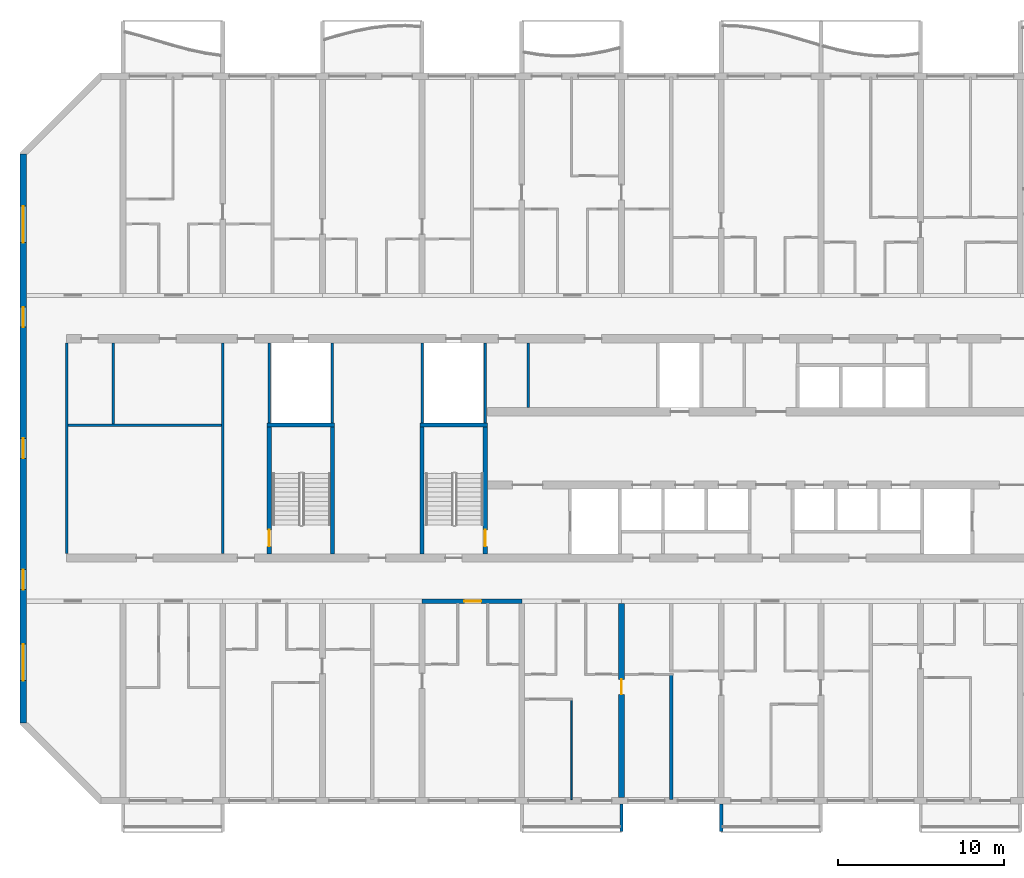
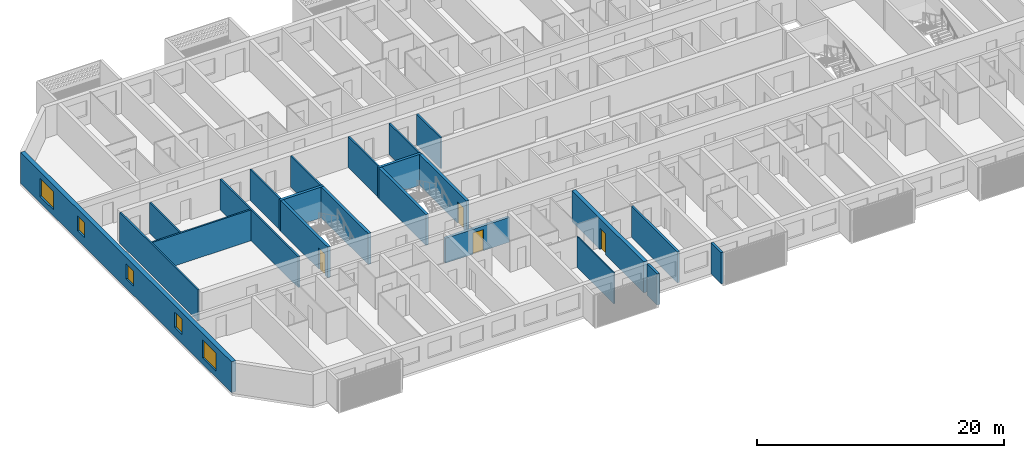
# One storey, part 3 of 30: 22 walls, 5 windows, 4 doors, 9 openings.
"""IFC4 building model written with IfcOpenShell, lengths in metres."""

from ifc_helpers import new_model, si_unit, direction, frame, frame_2d, origin, place, context, subcontext, project, spatial, polyline, rectangle, outline, extrude, source, transform, mapped, material, layer, layer_set, type_object, element, fill, save


model = new_model("IFC4")

# Units and contexts
model_context = context("Model", 3, precision=1e-05, world=origin(), true_north=direction((0.0, 1.0)))
body_context = subcontext(model_context, "Body", "Model", "MODEL_VIEW")
ifc_project = project(units=[si_unit("LENGTHUNIT", "METRE"), si_unit("AREAUNIT", "SQUARE_METRE"), si_unit("VOLUMEUNIT", "CUBIC_METRE"), si_unit("PLANEANGLEUNIT", "RADIAN"), si_unit("MASSUNIT", "GRAM", prefix="KILO")], contexts=[model_context])

# Site, building, storey
site_placement = place(None, origin())
site = spatial("IfcSite", under=ifc_project, at=site_placement, CompositionType="ELEMENT")
building_placement = place(site_placement, origin())
building = spatial("IfcBuilding", under=site, at=building_placement, Name="Poui Terraces", CompositionType="ELEMENT")
storey_placement = place(building_placement, frame((0.0, 0.0, 99.300048828125)))
storey = spatial("IfcBuildingStorey", under=building, at=storey_placement, Name="L27", CompositionType="ELEMENT", Elevation=99.300048828125)

# Walls
ifc_material_1 = material(Name="Fire-rated plasterboard wall")
ifc_layer_1 = layer(ifc_material_1, 0.14990234375)
ifc_layer_set_1 = layer_set([ifc_layer_1], Name="Fire-rated plasterboard wall")
wall_type_1 = type_object("IfcWallType", Name="CORRIDOR WALL 150", PredefinedType="PARTITIONING", material=ifc_layer_set_1)
for number, where, z_axis, x_axis, name in (
    (1, (8.60009765625, 14.860107421875, 0.0), (0.0, 0.0, 1.0), (0.0, 1.0, 0.0), "CORRIDOR WALL 150"),
    (2, (18.0, 14.860107421875, 0.0), (0.0, 0.0, 1.0), (0.0, 1.0, 0.0), "CORRIDOR WALL 150"),
):
    element("IfcWall", number, at=place(storey_placement, frame(where, z_axis=z_axis, x_axis=x_axis)), inside=storey, type_object=wall_type_1, Name=name, PredefinedType="PARTITIONING", context=body_context, shape_type="SweptSolid", body=[
        extrude(rectangle(XDim=12.679931640625, YDim=0.14990234375, at=frame_2d((6.33984375, 0.0))), origin(), (0.0, 0.0, 1.0), 3.06005859375),
    ])

# Wall, opening, door
ifc_material_2 = material(Name="Concrete 65 MPa", Category="concrete")
ifc_layer_2 = layer(ifc_material_2, 0.25)
ifc_layer_set_2 = layer_set([ifc_layer_2], Name="Concrete 65 MPa")
wall_type_2 = type_object("IfcWallType", Name="CORRIDOR WALL 250 65MPa", PredefinedType="SHEAR", material=ifc_layer_set_2)
wall_1_placement = place(storey_placement, frame((30.0, 12.0, 0.0), z_axis=(0.0, 0.0, 1.0), x_axis=(1.0, 0.0, 0.0)))
wall_1 = element("IfcWall", 3, at=wall_1_placement, inside=storey, type_object=wall_type_2, Name="CORRIDOR WALL LINE B BAY 5", PredefinedType="SHEAR", context=body_context, shape_type="SweptSolid", body=[
    extrude(rectangle(XDim=6.0, YDim=0.25, at=frame_2d((3.0, 0.0))), origin(), (0.0, 0.0, 1.0), 2.4599609375),
])
opening_1_placement = place(wall_1_placement, frame((2.550048828125, 0.0, 0.0)))
opening_1 = element("IfcOpeningElement", 4, at=opening_1_placement, cuts=wall_1, Name="Opening FD30S", PredefinedType="OPENING", context=body_context, shape_type="SweptSolid", body=[
    extrude(rectangle(XDim=1.0, YDim=2.10009765625, at=frame_2d((0.5, 1.050048828125))), frame((0.0, 0.135009765625, 0.0), z_axis=(0.0, -1.0, 0.0), x_axis=(1.0, 0.0, 0.0)), (0.0, 0.0, 1.0), 0.27001953125),
])
ifc_material_3 = material(Name="Steel fire door", Category="steel")
door_type_1 = type_object("IfcDoorType", Name="FLAT ENTRANCE DOOR 1000 X 2100", OperationType="NOTDEFINED", PredefinedType="DOOR", material=ifc_material_3)
door_1_placement = place(opening_1_placement, frame((1.0, 0.0, 0.0), z_axis=(0.0, 0.0, 1.0), x_axis=(-1.0, 0.0, 0.0)))
door_1 = element("IfcDoor", 5, at=door_1_placement, inside=storey, type_object=door_type_1, Name="FLAT ENTRANCE DOOR 096", OperationType="SINGLE_SWING_LEFT", OverallHeight=2.10009765625, OverallWidth=1.0, PredefinedType="DOOR", context=body_context, shape_type="SweptSolid", body=[
    extrude(rectangle(XDim=1.0, YDim=2.10009765625, at=frame_2d((0.5, 1.050048828125))), frame((0.0, 0.02490234375, 0.0), z_axis=(0.0, -1.0, 0.0), x_axis=(1.0, 0.0, 0.0)), (0.0, 0.0, 1.0), 0.050048828125),
])
fill(opening_1, door_1)

ifc_layer_3 = layer(ifc_material_2, 0.35009765625)
ifc_layer_set_3 = layer_set([ifc_layer_3], Name="Concrete 65 MPa")
wall_type_3 = type_object("IfcWallType", Name="CROSS WALL 350 65MPa", PredefinedType="SHEAR", material=ifc_layer_set_3)
wall_2_placement = place(storey_placement, frame((42.0, 0.199951171875, 0.0), z_axis=(0.0, 0.0, 1.0), x_axis=(0.0, 1.0, 0.0)))
wall_2 = element("IfcWall", 6, at=wall_2_placement, inside=storey, type_object=wall_type_3, Name="CROSS WALL LINE 8 SOUTH", PredefinedType="SHEAR", context=body_context, shape_type="SweptSolid", body=[
    extrude(rectangle(XDim=11.675048828125, YDim=0.35009765625, at=frame_2d((5.83740234375, 0.0))), origin(), (0.0, 0.0, 1.0), 3.06005859375),
])
opening_2_placement = place(wall_2_placement, frame((6.199951171875, 0.0, 0.0)))
opening_2 = element("IfcOpeningElement", 7, at=opening_2_placement, cuts=wall_2, Name="Opening D90", PredefinedType="OPENING", context=body_context, shape_type="SweptSolid", body=[
    extrude(rectangle(XDim=0.89990234375, YDim=2.10009765625, at=frame_2d((0.449951171875, 1.050048828125))), frame((0.0, 0.18505859375, 0.0), z_axis=(0.0, -1.0, 0.0), x_axis=(1.0, 0.0, 0.0)), (0.0, 0.0, 1.0), 0.3701171875),
])
ifc_material_4 = material(Name="Solid core timber door", Category="wood")
door_type_2 = type_object("IfcDoorType", Name="INTERNAL DOOR 900 X 2100", OperationType="NOTDEFINED", PredefinedType="DOOR", material=ifc_material_4)
door_2_placement = place(opening_2_placement, frame((0.89990234375, 0.0, 0.0), z_axis=(0.0, 0.0, 1.0), x_axis=(-1.0, 0.0, 0.0)))
door_2 = element("IfcDoor", 8, at=door_2_placement, inside=storey, type_object=door_type_2, Name="INTERNAL DOOR 103", OperationType="SINGLE_SWING_LEFT", OverallHeight=2.10009765625, OverallWidth=0.89990234375, PredefinedType="DOOR", context=body_context, shape_type="SweptSolid", body=[
    extrude(rectangle(XDim=0.89990234375, YDim=2.10009765625, at=frame_2d((0.449951171875, 1.050048828125))), frame((0.0, 0.02490234375, 0.0), z_axis=(0.0, -1.0, 0.0), x_axis=(1.0, 0.0, 0.0)), (0.0, 0.0, 1.0), 0.050048828125),
])
fill(opening_2, door_2)

# Wall, openings, windows
ifc_layer_4 = layer(ifc_material_2, 0.39990234375)
ifc_layer_set_4 = layer_set([ifc_layer_4], Name="Concrete 65 MPa")
wall_type_4 = type_object("IfcWallType", Name="END WALL 400 65MPa", PredefinedType="SHEAR", material=ifc_layer_set_4)
wall_3_placement = place(storey_placement, frame((6.0, 4.682861328125, 0.0), z_axis=(0.0, 0.0, 1.0), x_axis=(0.0, 1.0, 0.0)))
wall_3 = element("IfcWall", 9, at=wall_3_placement, inside=storey, type_object=wall_type_4, Name="END WALL WEST", PredefinedType="SHEAR", context=body_context, shape_type="SweptSolid", body=[
    extrude(rectangle(XDim=34.234375, YDim=0.39990234375, at=frame_2d((17.1171875, 0.0))), origin(), (0.0, 0.0, 1.0), 3.06005859375),
])
opening_3_placement = place(wall_3_placement, frame((23.817138671875, 0.0, 0.89990234375)))
opening_3 = element("IfcOpeningElement", 10, at=opening_3_placement, cuts=wall_3, Name="Opening W2", PredefinedType="OPENING", context=body_context, shape_type="SweptSolid", body=[
    extrude(rectangle(XDim=1.199951171875, YDim=1.5, at=frame_2d((0.60009765625, 0.75))), frame((0.0, 0.2099609375, 0.0), z_axis=(0.0, -1.0, 0.0), x_axis=(1.0, 0.0, 0.0)), (0.0, 0.0, 1.0), 0.419921875),
])
opening_4_placement = place(wall_3_placement, frame((8.01708984375, 0.0, 0.89990234375)))
opening_4 = element("IfcOpeningElement", 11, at=opening_4_placement, cuts=wall_3, Name="Opening W2", PredefinedType="OPENING", context=body_context, shape_type="SweptSolid", body=[
    extrude(rectangle(XDim=1.199951171875, YDim=1.5, at=frame_2d((0.60009765625, 0.75))), frame((0.0, 0.2099609375, 0.0), z_axis=(0.0, -1.0, 0.0), x_axis=(1.0, 0.0, 0.0)), (0.0, 0.0, 1.0), 0.419921875),
])
opening_5_placement = place(wall_3_placement, frame((15.917236328125, 0.0, 0.89990234375)))
opening_5 = element("IfcOpeningElement", 12, at=opening_5_placement, cuts=wall_3, Name="Opening W2", PredefinedType="OPENING", context=body_context, shape_type="SweptSolid", body=[
    extrude(rectangle(XDim=1.199951171875, YDim=1.5, at=frame_2d((0.60009765625, 0.75))), frame((0.0, 0.2099609375, 0.0), z_axis=(0.0, -1.0, 0.0), x_axis=(1.0, 0.0, 0.0)), (0.0, 0.0, 1.0), 0.419921875),
])
opening_6_placement = place(wall_3_placement, frame((28.8935546875, 0.0, 0.60009765625)))
opening_6 = element("IfcOpeningElement", 13, at=opening_6_placement, cuts=wall_3, Name="Opening W3", PredefinedType="OPENING", context=body_context, shape_type="SweptSolid", body=[
    extrude(rectangle(XDim=2.199951171875, YDim=1.800048828125, at=frame_2d((1.10009765625, 0.89990234375))), frame((0.0, 0.2099609375, 0.0), z_axis=(0.0, -1.0, 0.0), x_axis=(1.0, 0.0, 0.0)), (0.0, 0.0, 1.0), 0.419921875),
])
opening_7_placement = place(wall_3_placement, frame((2.541015625, 0.0, 0.60009765625)))
opening_7 = element("IfcOpeningElement", 14, at=opening_7_placement, cuts=wall_3, Name="Opening W3", PredefinedType="OPENING", context=body_context, shape_type="SweptSolid", body=[
    extrude(rectangle(XDim=2.199951171875, YDim=1.800048828125, at=frame_2d((1.10009765625, 0.89990234375))), frame((0.0, 0.2099609375, 0.0), z_axis=(0.0, -1.0, 0.0), x_axis=(1.0, 0.0, 0.0)), (0.0, 0.0, 1.0), 0.419921875),
])
ifc_material_5 = material(Name="Clear glass in aluminium frame", Category="aluminium")
window_type_1 = type_object("IfcWindowType", Name="WINDOW 1200X1500", PartitioningType="SINGLE_PANEL", PredefinedType="WINDOW", material=ifc_material_5)
window_1_placement = place(opening_3_placement, origin())
window_1 = element("IfcWindow", 15, at=window_1_placement, inside=storey, type_object=window_type_1, Name="W2 WINDOW", OverallHeight=1.5, OverallWidth=1.199951171875, PartitioningType="SINGLE_PANEL", PredefinedType="WINDOW", context=body_context, shape_type="SweptSolid", body=[
    extrude(rectangle(XDim=1.199951171875, YDim=1.5, at=frame_2d((0.60009765625, 0.75))), frame((0.0, 0.030029296875, 0.0), z_axis=(0.0, -1.0, 0.0), x_axis=(1.0, 0.0, 0.0)), (0.0, 0.0, 1.0), 0.06005859375),
])
fill(opening_3, window_1)
window_2_placement = place(opening_4_placement, origin())
window_2 = element("IfcWindow", 16, at=window_2_placement, inside=storey, type_object=window_type_1, Name="W2 WINDOW", OverallHeight=1.5, OverallWidth=1.199951171875, PartitioningType="SINGLE_PANEL", PredefinedType="WINDOW", context=body_context, shape_type="SweptSolid", body=[
    extrude(rectangle(XDim=1.199951171875, YDim=1.5, at=frame_2d((0.60009765625, 0.75))), frame((0.0, 0.030029296875, 0.0), z_axis=(0.0, -1.0, 0.0), x_axis=(1.0, 0.0, 0.0)), (0.0, 0.0, 1.0), 0.06005859375),
])
fill(opening_4, window_2)
window_3_placement = place(opening_5_placement, origin())
window_3 = element("IfcWindow", 17, at=window_3_placement, inside=storey, type_object=window_type_1, Name="W2 WINDOW", OverallHeight=1.5, OverallWidth=1.199951171875, PartitioningType="SINGLE_PANEL", PredefinedType="WINDOW", context=body_context, shape_type="SweptSolid", body=[
    extrude(rectangle(XDim=1.199951171875, YDim=1.5, at=frame_2d((0.60009765625, 0.75))), frame((0.0, 0.030029296875, 0.0), z_axis=(0.0, -1.0, 0.0), x_axis=(1.0, 0.0, 0.0)), (0.0, 0.0, 1.0), 0.06005859375),
])
fill(opening_5, window_3)
window_type_2 = type_object("IfcWindowType", Name="WINDOW 2200X1800", PartitioningType="DOUBLE_PANEL_HORIZONTAL", PredefinedType="WINDOW", material=ifc_material_5)
window_4_placement = place(opening_6_placement, origin())
window_4 = element("IfcWindow", 18, at=window_4_placement, inside=storey, type_object=window_type_2, Name="W3 WINDOW", OverallHeight=1.800048828125, OverallWidth=2.199951171875, PartitioningType="DOUBLE_PANEL_HORIZONTAL", PredefinedType="WINDOW", context=body_context, shape_type="SweptSolid", body=[
    extrude(rectangle(XDim=2.199951171875, YDim=1.800048828125, at=frame_2d((1.10009765625, 0.89990234375))), frame((0.0, 0.030029296875, 0.0), z_axis=(0.0, -1.0, 0.0), x_axis=(1.0, 0.0, 0.0)), (0.0, 0.0, 1.0), 0.06005859375),
])
fill(opening_6, window_4)
window_5_placement = place(opening_7_placement, origin())
window_5 = element("IfcWindow", 19, at=window_5_placement, inside=storey, type_object=window_type_2, Name="W3 WINDOW", OverallHeight=1.800048828125, OverallWidth=2.199951171875, PartitioningType="DOUBLE_PANEL_HORIZONTAL", PredefinedType="WINDOW", context=body_context, shape_type="SweptSolid", body=[
    extrude(rectangle(XDim=2.199951171875, YDim=1.800048828125, at=frame_2d((1.10009765625, 0.89990234375))), frame((0.0, 0.030029296875, 0.0), z_axis=(0.0, -1.0, 0.0), x_axis=(1.0, 0.0, 0.0)), (0.0, 0.0, 1.0), 0.06005859375),
])
fill(opening_7, window_5)

# Walls
ifc_material_6 = material(Name="Plasterboard partition")
ifc_layer_5 = layer(ifc_material_6, 0.10009765625)
ifc_layer_set_5 = layer_set([ifc_layer_5], Name="Plasterboard partition")
wall_type_5 = type_object("IfcWallType", Name="FLAT PARTITION 100", PredefinedType="PARTITIONING", material=ifc_layer_set_5)
wall_4_placement = place(storey_placement, frame((39.0, 0.06005859375, 0.0), z_axis=(0.0, 0.0, 1.0), x_axis=(0.0, 1.0, 0.0)))
element("IfcWall", 20, at=wall_4_placement, inside=storey, type_object=wall_type_5, Name="FLAT PARTITION 100", PredefinedType="PARTITIONING", context=body_context, shape_type="SweptSolid", body=[
    extrude(rectangle(XDim=5.989990234375, YDim=0.10009765625, at=frame_2d((2.9951171875, 0.0))), origin(), (0.0, 0.0, 1.0), 3.06005859375),
])
ifc_material_7 = material(Name="Fire-rated masonry wall", Category="masonry")
ifc_layer_6 = layer(ifc_material_7, 0.199951171875)
ifc_layer_set_6 = layer_set([ifc_layer_6], Name="Fire-rated masonry wall")
wall_type_6 = type_object("IfcWallType", Name="FLAT PARTY WALL 200", PredefinedType="PARTITIONING", material=ifc_layer_set_6)
wall_5_placement = place(storey_placement, frame((45.0, 0.06005859375, 0.0), z_axis=(0.0, 0.0, 1.0), x_axis=(0.0, 1.0, 0.0)))
element("IfcWall", 21, at=wall_5_placement, inside=storey, type_object=wall_type_6, Name="FLAT PARTY WALL 200", PredefinedType="PARTITIONING", context=body_context, shape_type="SweptSolid", body=[
    extrude(rectangle(XDim=7.489990234375, YDim=0.199951171875, at=frame_2d((3.7451171875, 0.0))), origin(), (0.0, 0.0, 1.0), 3.06005859375),
])
ifc_layer_7 = layer(ifc_material_6, 0.14990234375)
ifc_layer_set_7 = layer_set([ifc_layer_7], Name="Plasterboard partition")
wall_type_7 = type_object("IfcWallType", Name="PARTITION WALL 150", PredefinedType="PARTITIONING", material=ifc_layer_set_7)
wall_6_placement = place(storey_placement, frame((8.675048828125, 22.60009765625, 0.0), z_axis=(0.0, 0.0, 1.0), x_axis=(1.0, 0.0, 0.0)))
element("IfcWall", 22, at=wall_6_placement, inside=storey, type_object=wall_type_7, Name="PARTITION WALL 150", PredefinedType="PARTITIONING", context=body_context, shape_type="SweptSolid", body=[
    extrude(rectangle(XDim=9.25, YDim=0.14990234375, at=frame_2d((4.625, 0.0))), origin(), (0.0, 0.0, 1.0), 3.06005859375),
])
wall_7_placement = place(storey_placement, frame((11.39990234375, 22.675048828125, 0.0), z_axis=(0.0, 0.0, 1.0), x_axis=(0.0, 1.0, 0.0)))
element("IfcWall", 23, at=wall_7_placement, inside=storey, type_object=wall_type_7, Name="PARTITION WALL 150", PredefinedType="PARTITIONING", context=body_context, shape_type="SweptSolid", body=[
    extrude(rectangle(XDim=4.864990234375, YDim=0.14990234375, at=frame_2d((2.4326171875, 0.0))), origin(), (0.0, 0.0, 1.0), 3.06005859375),
])
wall_8_placement = place(storey_placement, frame((36.39990234375, 23.659912109375, 0.0), z_axis=(0.0, 0.0, 1.0), x_axis=(0.0, 1.0, 0.0)))
element("IfcWall", 24, at=wall_8_placement, inside=storey, type_object=wall_type_7, Name="PARTITION WALL 150", PredefinedType="PARTITIONING", context=body_context, shape_type="SweptSolid", body=[
    extrude(rectangle(XDim=3.880126953125, YDim=0.14990234375, at=frame_2d((1.93994140625, 0.0))), origin(), (0.0, 0.0, 1.0), 3.06005859375),
])
ifc_material_8 = material(Name="Fire-rated plasterboard riser wall")
ifc_layer_8 = layer(ifc_material_8, 0.14990234375)
ifc_layer_set_8 = layer_set([ifc_layer_8], Name="Fire-rated plasterboard riser wall")
wall_type_8 = type_object("IfcWallType", Name="RISER WALL 150", PredefinedType="PARTITIONING", material=ifc_layer_set_8)
for number, where, z_axis, x_axis, name in (
    (25, (20.800048828125, 22.735107421875, 0.0), (0.0, 0.0, 1.0), (0.0, 1.0, 0.0), "RISER WALL 150"),
    (26, (24.60009765625, 22.735107421875, 0.0), (0.0, 0.0, 1.0), (0.0, 1.0, 0.0), "RISER WALL 150"),
    (27, (30.0, 22.735107421875, 0.0), (0.0, 0.0, 1.0), (0.0, 1.0, 0.0), "RISER WALL 150"),
    (28, (33.800048828125, 22.735107421875, 0.0), (0.0, 0.0, 1.0), (0.0, 1.0, 0.0), "RISER WALL 150"),
):
    element("IfcWall", number, at=place(storey_placement, frame(where, z_axis=z_axis, x_axis=x_axis)), inside=storey, type_object=wall_type_8, Name=name, PredefinedType="PARTITIONING", context=body_context, shape_type="SweptSolid", body=[
        extrude(rectangle(XDim=4.804931640625, YDim=0.14990234375, at=frame_2d((2.40234375, 0.0))), origin(), (0.0, 0.0, 1.0), 3.06005859375),
    ])
ifc_layer_9 = layer(ifc_material_2, 0.25)
ifc_layer_set_9 = layer_set([ifc_layer_9], Name="Concrete 65 MPa")
wall_type_9 = type_object("IfcWallType", Name="STAIR CORE WALL 250 65 MPA", PredefinedType="SOLIDWALL", material=ifc_layer_set_9)
wall_9_placement = place(storey_placement, frame((30.0, 14.85009765625, 0.0), z_axis=(0.0, 0.0, 1.0), x_axis=(0.0, 1.0, 0.0)))
element("IfcWall", 29, at=wall_9_placement, inside=storey, type_object=wall_type_9, Name="STAIR CORE WALL", PredefinedType="SOLIDWALL", context=body_context, shape_type="SweptSolid", body=[
    extrude(rectangle(XDim=7.625, YDim=0.25, at=frame_2d((3.8125, 0.0))), origin(), (0.0, 0.0, 1.0), 3.06005859375),
])

# Wall, opening, door
wall_10_placement = place(storey_placement, frame((33.800048828125, 14.85009765625, 0.0), z_axis=(0.0, 0.0, 1.0), x_axis=(0.0, 1.0, 0.0)))
wall_10 = element("IfcWall", 30, at=wall_10_placement, inside=storey, type_object=wall_type_9, Name="STAIR CORE WALL", PredefinedType="SOLIDWALL", context=body_context, shape_type="SweptSolid", body=[
    extrude(rectangle(XDim=7.625, YDim=0.25, at=frame_2d((3.8125, 0.0))), origin(), (0.0, 0.0, 1.0), 3.06005859375),
])
opening_8_placement = place(wall_10_placement, frame((0.449951171875, 0.0, 0.0)))
opening_8 = element("IfcOpeningElement", 31, at=opening_8_placement, cuts=wall_10, Name="Opening FD60S", PredefinedType="OPENING", context=body_context, shape_type="SweptSolid", body=[
    extrude(rectangle(XDim=1.0, YDim=2.10009765625, at=frame_2d((0.5, 1.050048828125))), frame((0.0, 0.135009765625, 0.0), z_axis=(0.0, -1.0, 0.0), x_axis=(1.0, 0.0, 0.0)), (0.0, 0.0, 1.0), 0.27001953125),
])
door_type_3 = type_object("IfcDoorType", Name="STAIR DOOR 1000 X 2100", OperationType="NOTDEFINED", PredefinedType="DOOR", material=ifc_material_3)
door_3_placement = place(opening_8_placement, origin())
door_3 = element("IfcDoor", 32, at=door_3_placement, inside=storey, type_object=door_type_3, Name="STAIR DOOR 134", OperationType="SINGLE_SWING_LEFT", OverallHeight=2.10009765625, OverallWidth=1.0, PredefinedType="DOOR", context=body_context, shape_type="SweptSolid", body=[
    extrude(rectangle(XDim=1.0, YDim=2.10009765625, at=frame_2d((0.5, 1.050048828125))), frame((0.0, 0.02490234375, 0.0), z_axis=(0.0, -1.0, 0.0), x_axis=(1.0, 0.0, 0.0)), (0.0, 0.0, 1.0), 0.050048828125),
])
fill(opening_8, door_3)

# Wall
wall_11_placement = place(storey_placement, frame((29.875, 22.60009765625, 0.0), z_axis=(0.0, 0.0, 1.0), x_axis=(1.0, 0.0, 0.0)))
element("IfcWall", 33, at=wall_11_placement, inside=storey, type_object=wall_type_9, Name="STAIR CORE WALL", PredefinedType="SOLIDWALL", context=body_context, shape_type="SweptSolid", body=[
    extrude(rectangle(XDim=4.050048828125, YDim=0.25, at=frame_2d((2.02490234375, 0.0))), origin(), (0.0, 0.0, 1.0), 3.06005859375),
])

# Wall, opening, door
wall_12_placement = place(storey_placement, frame((20.800048828125, 14.85009765625, 0.0), z_axis=(0.0, 0.0, 1.0), x_axis=(0.0, 1.0, 0.0)))
wall_12 = element("IfcWall", 34, at=wall_12_placement, inside=storey, type_object=wall_type_9, Name="STAIR CORE WALL", PredefinedType="SOLIDWALL", context=body_context, shape_type="SweptSolid", body=[
    extrude(rectangle(XDim=7.625, YDim=0.25, at=frame_2d((3.8125, 0.0))), origin(), (0.0, 0.0, 1.0), 3.06005859375),
])
opening_9_placement = place(wall_12_placement, frame((0.449951171875, 0.0, 0.0)))
opening_9 = element("IfcOpeningElement", 35, at=opening_9_placement, cuts=wall_12, Name="Opening FD60S", PredefinedType="OPENING", context=body_context, shape_type="SweptSolid", body=[
    extrude(rectangle(XDim=1.0, YDim=2.10009765625, at=frame_2d((0.5, 1.050048828125))), frame((0.0, 0.135009765625, 0.0), z_axis=(0.0, -1.0, 0.0), x_axis=(1.0, 0.0, 0.0)), (0.0, 0.0, 1.0), 0.27001953125),
])
door_4_placement = place(opening_9_placement, frame((1.0, 0.0, 0.0), z_axis=(0.0, 0.0, 1.0), x_axis=(-1.0, 0.0, 0.0)))
door_4 = element("IfcDoor", 36, at=door_4_placement, inside=storey, type_object=door_type_3, Name="STAIR DOOR 148", OperationType="SINGLE_SWING_RIGHT", OverallHeight=2.10009765625, OverallWidth=1.0, PredefinedType="DOOR", context=body_context, shape_type="SweptSolid", body=[
    extrude(rectangle(XDim=1.0, YDim=2.10009765625, at=frame_2d((0.5, 1.050048828125))), frame((0.0, 0.02490234375, 0.0), z_axis=(0.0, -1.0, 0.0), x_axis=(1.0, 0.0, 0.0)), (0.0, 0.0, 1.0), 0.050048828125),
])
fill(opening_9, door_4)

# Walls
wall_13_placement = place(storey_placement, frame((24.60009765625, 14.85009765625, 0.0), z_axis=(0.0, 0.0, 1.0), x_axis=(0.0, 1.0, 0.0)))
element("IfcWall", 37, at=wall_13_placement, inside=storey, type_object=wall_type_9, Name="STAIR CORE WALL", PredefinedType="SOLIDWALL", context=body_context, shape_type="SweptSolid", body=[
    extrude(rectangle(XDim=7.625, YDim=0.25, at=frame_2d((3.8125, 0.0))), origin(), (0.0, 0.0, 1.0), 3.06005859375),
])
wall_14_placement = place(storey_placement, frame((20.675048828125, 22.60009765625, 0.0), z_axis=(0.0, 0.0, 1.0), x_axis=(1.0, 0.0, 0.0)))
element("IfcWall", 38, at=wall_14_placement, inside=storey, type_object=wall_type_9, Name="STAIR CORE WALL", PredefinedType="SOLIDWALL", context=body_context, shape_type="SweptSolid", body=[
    extrude(rectangle(XDim=4.050048828125, YDim=0.25, at=frame_2d((2.02490234375, 0.0))), origin(), (0.0, 0.0, 1.0), 3.06005859375),
])
ifc_material_9 = material(Name="Precast concrete 40 MPa", Category="concrete")
ifc_layer_10 = layer(ifc_material_9, 0.199951171875)
ifc_layer_set_10 = layer_set([ifc_layer_10], Name="Precast concrete 40 MPa")
wall_type_10 = type_object("IfcWallType", Name="REAR FIN 200", PredefinedType="STANDARD", material=ifc_layer_set_10)
shared_shape = source(origin(), body_context, "Body", "SweptSolid", [
    extrude(outline(polyline([(0.0, 0.0), (0.2001953125, 0.0), (0.2001953125, 1.650146484375), (0.0, 1.650146484375), (0.0, 0.0)])), origin(), (0.0, 0.0, 1.0), 3.099853515625),
])
for number, where, name in (
    (39, (41.89990234375, -1.85009765625, 0.0), "REAR FIN"),
    (40, (47.89990234375, -1.85009765625, 0.0), "REAR FIN"),
):
    element("IfcWall", number, at=place(storey_placement, frame(where)), inside=storey, type_object=wall_type_10, Name=name, PredefinedType="STANDARD", context=body_context, shape_type="MappedRepresentation", body=[
        mapped(shared_shape, transform((0.0, 0.0, 0.0))),
    ])

save(model, "model.ifc")
